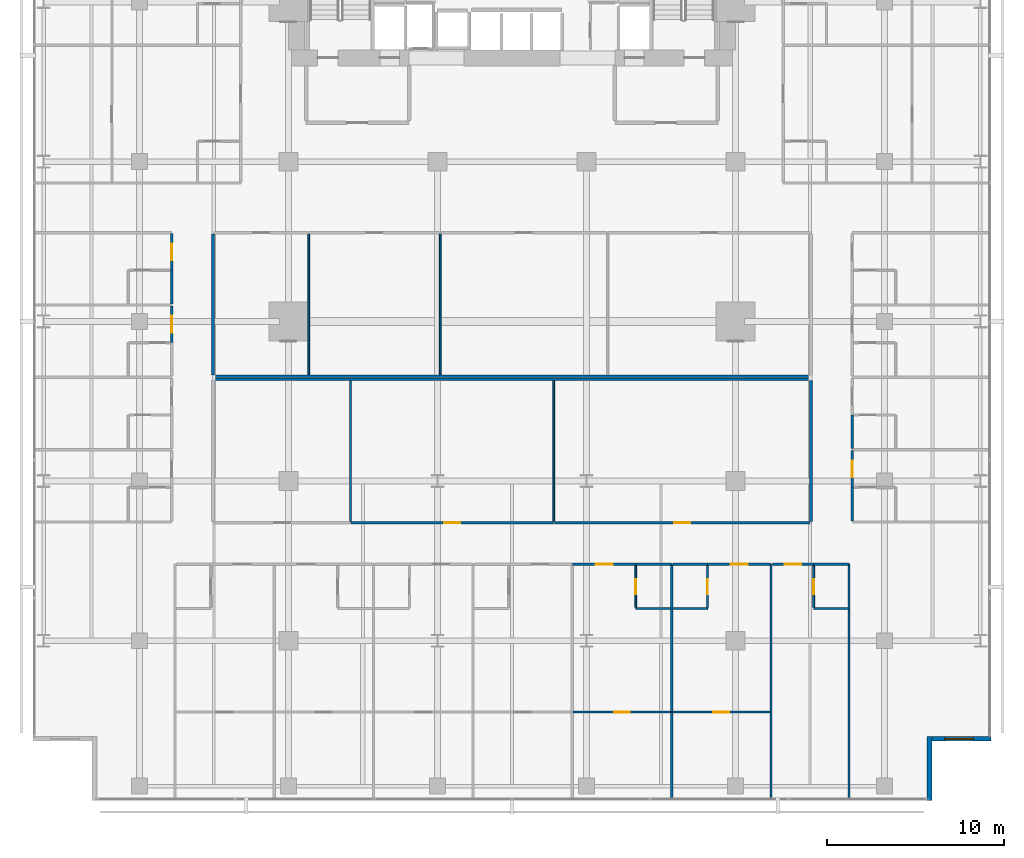
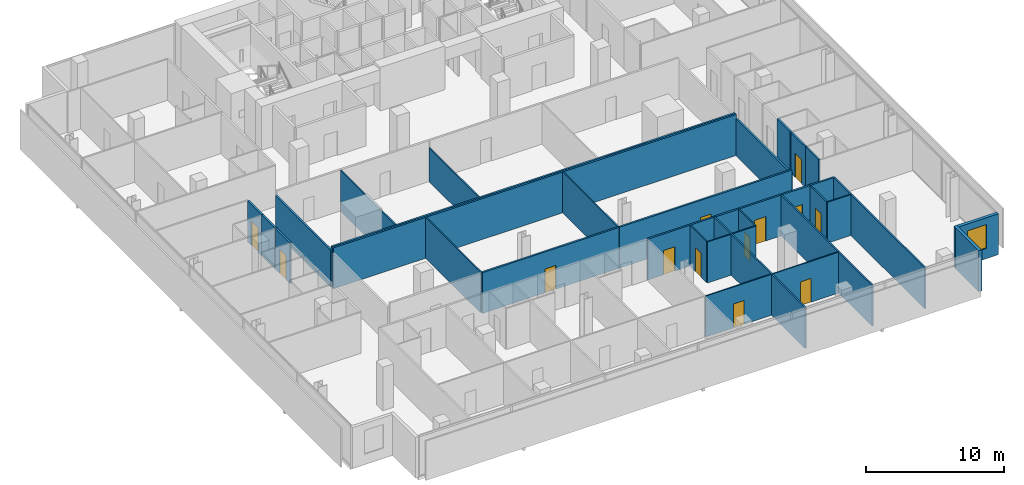
# One storey, part 34 of 40: 35 walls, 13 doors, 1 window, 14 openings.
"""IFC4 building model written with IfcOpenShell, lengths in metres."""

import ifcopenshell
import ifcopenshell.guid

model = None  # the IFC model being written
_history = None  # IfcOwnerHistory: only IFC2X3 demands one
_inside = {}  # id of a spatial element -> (the spatial element, [elements in it])
_under = {}  # id of a project, library or spatial element -> (it, [spatial elements below it])
_declared = {}  # id of a project -> (the project, [libraries it declares])
_typed = {}  # id of a type object -> (the type object, [elements of that type])
_made_of = {}  # id of a material, layer set ... -> (it, [elements and type objects made of it])


def new_model(schema):
    """Start an empty IFC model of exactly this schema.

    Asked for "IFC4X3", IfcOpenShell would pick the latest addendum, in which some entities
    have other attributes; the version numbers below select the first issue.
    IFC2X3 requires an IfcOwnerHistory on every rooted entity: one is made here for all.
    """
    global model, _history
    if schema == "IFC4X3":
        model = ifcopenshell.file(schema_version=(4, 3, 0, 0))
    else:
        model = ifcopenshell.file(schema=schema)
    _inside.clear()
    _under.clear()
    _declared.clear()
    _typed.clear()
    _made_of.clear()
    _history = None
    if model.schema == "IFC2X3":
        org = make("IfcOrganization", Name="unknown")
        user = make(
            "IfcPersonAndOrganization",
            ThePerson=make("IfcPerson", FamilyName="unknown"),
            TheOrganization=org,
        )
        app = make(
            "IfcApplication",
            ApplicationDeveloper=org,
            Version="unknown",
            ApplicationFullName="unknown",
            ApplicationIdentifier="unknown",
        )
        _history = make(
            "IfcOwnerHistory",
            OwningUser=user,
            OwningApplication=app,
            ChangeAction="ADDED",
            CreationDate=0,
        )
    return model


def make(cls, **values):
    """One entity of the class cls with the attributes given. An attribute that is None is left unset."""
    return model.create_entity(
        cls, **{name: value for name, value in values.items() if value is not None}
    )


def rooted(cls, **values):
    """An entity with a GlobalId (a new one), such as an element, a storey or a relation."""
    return make(cls, GlobalId=ifcopenshell.guid.new(), OwnerHistory=_history, **values)


def si_unit(unit_type, name, prefix=None):
    """IfcSIUnit, for example si_unit("LENGTHUNIT", "METRE", prefix="MILLI")."""
    return make("IfcSIUnit", UnitType=unit_type, Prefix=prefix, Name=name)


def assignment(units):
    """IfcUnitAssignment: the units of a project."""
    return None if units is None else make("IfcUnitAssignment", Units=units)


def point(xyz):
    """IfcCartesianPoint."""
    return None if xyz is None else make("IfcCartesianPoint", Coordinates=xyz)


def direction(xyz):
    """IfcDirection."""
    return None if xyz is None else make("IfcDirection", DirectionRatios=xyz)


def frame(location, z_axis=None, x_axis=None):
    """IfcAxis2Placement3D, a coordinate frame: its origin and axes. An axis left out is left unset."""
    return make(
        "IfcAxis2Placement3D",
        Location=point(location),
        Axis=direction(z_axis),
        RefDirection=direction(x_axis),
    )


def frame_2d(location, x_axis=None):
    """IfcAxis2Placement2D, a coordinate frame in the plane: its origin and x axis."""
    return make(
        "IfcAxis2Placement2D", Location=point(location), RefDirection=direction(x_axis)
    )


def origin():
    """The frame at (0, 0, 0) with its axes left unset."""
    return frame((0.0, 0.0, 0.0))


def place(relative_to, where):
    """IfcLocalPlacement: puts the frame where relative to a parent placement (None: the world)."""
    return make(
        "IfcLocalPlacement", PlacementRelTo=relative_to, RelativePlacement=where
    )


def context(
    kind, dimensions, precision=None, world=None, true_north=None, identifier=None
):
    """IfcGeometricRepresentationContext, for example the 3D "Model" context."""
    return make(
        "IfcGeometricRepresentationContext",
        ContextIdentifier=identifier,
        ContextType=kind,
        CoordinateSpaceDimension=dimensions,
        Precision=precision,
        WorldCoordinateSystem=world,
        TrueNorth=true_north,
    )


def subcontext(parent, identifier, kind, view, scale=None):
    """IfcGeometricRepresentationSubContext, for example "Body" below "Model"."""
    return make(
        "IfcGeometricRepresentationSubContext",
        ContextIdentifier=identifier,
        ContextType=kind,
        ParentContext=parent,
        TargetScale=scale,
        TargetView=view,
    )


def project(units=None, contexts=None):
    """IfcProject with its units and contexts."""
    return rooted(
        "IfcProject",
        Name="project",
        RepresentationContexts=contexts,
        UnitsInContext=assignment(units),
    )


def spatial(cls, under=None, at=None, **own):
    """A site, building, storey or space (cls), placed at a placement, below another one or the project."""
    s = rooted(cls, ObjectPlacement=at, **own)
    if under is not None:
        _under.setdefault(under.id(), (under, []))[1].append(s)
    return s


def profile(cls, at=None, kind="AREA", **sizes):
    """A parametric profile (cls). Its sizes go by their IFC names, for example OverallWidth=200.0."""
    return make(cls, ProfileType=kind, Position=at, **sizes)


def rectangle(**sizes):
    """IfcRectangleProfileDef."""
    return profile("IfcRectangleProfileDef", **sizes)


def extrude(swept, where, along, depth):
    """IfcExtrudedAreaSolid: the profile swept, set in the frame where, extruded along a direction by depth."""
    return make(
        "IfcExtrudedAreaSolid",
        SweptArea=swept,
        Position=where,
        ExtrudedDirection=direction(along),
        Depth=depth,
    )


def shape(context_of_items, identifier, shape_type, items):
    """IfcShapeRepresentation: the items that make up one representation, for example the "Body"."""
    return make(
        "IfcShapeRepresentation",
        ContextOfItems=context_of_items,
        RepresentationIdentifier=identifier,
        RepresentationType=shape_type,
        Items=items,
    )


def material(Name=None, Category=None):
    """IfcMaterial."""
    return make("IfcMaterial", Name=Name, Category=Category)


def layer(
    of_material, thickness, ventilated=None, Name=None, Category=None, Priority=None
):
    """IfcMaterialLayer: one layer of a wall or slab, of a material (None: an air gap)."""
    return make(
        "IfcMaterialLayer",
        Material=of_material,
        LayerThickness=thickness,
        IsVentilated=ventilated,
        Name=Name,
        Category=Category,
        Priority=Priority,
    )


def layer_set(layers, Name=None):
    """IfcMaterialLayerSet."""
    return make("IfcMaterialLayerSet", MaterialLayers=layers, LayerSetName=Name)


def made_of(thing, what):
    """Note that an element or type object is made of a material, layer set ...; save() writes the relation."""
    if what is not None:
        _made_of.setdefault(what.id(), (what, []))[1].append(thing)
    return thing


def type_object(cls, material=None, **own):
    """A type object (cls), such as IfcWallType, which elements share."""
    return made_of(rooted(cls, **own), material)


def element(
    cls,
    number,
    at=None,
    inside=None,
    cuts=None,
    type_object=None,
    material=None,
    context=None,
    identifier="Body",
    shape_type=None,
    held_by="IfcProductDefinitionShape",
    body=None,
    shapes=None,
    **own,
):
    """One element of the class cls, such as IfcWall. Its Tag is "e" and its number.

    at: its placement. inside: the storey or other place that contains it. cuts: it is an
    opening in that element (IfcRelVoidsElement). A single representation is given by context,
    identifier, shape_type and body (its items); several are given by shapes. held_by: the class
    of the entity that holds the representations. save() writes the other relations.
    """
    e = rooted(cls, Tag="e%d" % number, ObjectPlacement=at, **own)
    if body is not None:
        shapes = [shape(context, identifier, shape_type, body)]
    if shapes is not None:
        e.Representation = make(held_by, Representations=shapes)
    if inside is not None:
        _inside.setdefault(inside.id(), (inside, []))[1].append(e)
    if cuts is not None:
        rooted(
            "IfcRelVoidsElement", RelatingBuildingElement=cuts, RelatedOpeningElement=e
        )
    if type_object is not None:
        _typed.setdefault(type_object.id(), (type_object, []))[1].append(e)
    return made_of(e, material)


def fill(opening, filler):
    """IfcRelFillsElement: the door or window that sits in an opening."""
    return rooted(
        "IfcRelFillsElement",
        RelatingOpeningElement=opening,
        RelatedBuildingElement=filler,
    )


def aggregate(whole, parts):
    """IfcRelAggregates: a whole, such as a stair, and the parts it consists of."""
    return rooted("IfcRelAggregates", RelatingObject=whole, RelatedObjects=parts)


def save(model, path):
    """Write the relations noted so far, then the file.

    IfcRelAggregates (storeys below a building ...), IfcRelContainedInSpatialStructure (elements
    in a storey), IfcRelDefinesByType, IfcRelAssociatesMaterial and IfcRelDeclares: one each for
    every whole, place, type object, material and project.
    """
    for whole, parts in _under.values():
        aggregate(whole, parts)
    for where, things in _inside.values():
        rooted(
            "IfcRelContainedInSpatialStructure",
            RelatedElements=things,
            RelatingStructure=where,
        )
    for kind, things in _typed.values():
        rooted("IfcRelDefinesByType", RelatedObjects=things, RelatingType=kind)
    for what, things in _made_of.values():
        rooted("IfcRelAssociatesMaterial", RelatedObjects=things, RelatingMaterial=what)
    for by, libraries in _declared.values():
        rooted("IfcRelDeclares", RelatingContext=by, RelatedDefinitions=libraries)
    model.write(path)


model = new_model("IFC4")

# Units and contexts
model_context = context("Model", 3, precision=1e-05, world=origin(), true_north=direction((0.0, 1.0)))
body_context = subcontext(model_context, "Body", "Model", "MODEL_VIEW")
ifc_project = project(units=[si_unit("LENGTHUNIT", "METRE"), si_unit("AREAUNIT", "SQUARE_METRE"), si_unit("VOLUMEUNIT", "CUBIC_METRE"), si_unit("PLANEANGLEUNIT", "RADIAN"), si_unit("MASSUNIT", "GRAM", prefix="KILO")], contexts=[model_context])

# Site, building, storey
site_placement = place(None, origin())
site = spatial("IfcSite", under=ifc_project, at=site_placement, CompositionType="ELEMENT")
building_placement = place(site_placement, origin())
building = spatial("IfcBuilding", under=site, at=building_placement, Name="Maruvema Waterfront Hotel and Observation Tower", CompositionType="ELEMENT")
storey_placement = place(building_placement, frame((0.0, 0.0, 57.75)))
storey = spatial("IfcBuildingStorey", under=building, at=storey_placement, Name="L13", CompositionType="ELEMENT", Elevation=57.75)

# Walls
ifc_material_1 = material(Name="Twin-stud acoustic gypsum drywall", Category="gypsum")
ifc_layer_1 = layer(ifc_material_1, 0.14990234375, Name="Acoustic Corridor and Suite Demising Wall 150 mm")
ifc_layer_set_1 = layer_set([ifc_layer_1], Name="Twin-stud acoustic gypsum drywall")
wall_type_1 = type_object("IfcWallType", Name="Acoustic Corridor and Suite Demising Wall 150 mm", PredefinedType="PARTITIONING", material=ifc_layer_set_1)
wall_1_placement = place(storey_placement, frame((20.949951171875, 23.89990234375, 0.0), z_axis=(0.0, 0.0, 1.0), x_axis=(1.0, 0.0, 0.0)))
element("IfcWall", 1, at=wall_1_placement, inside=storey, type_object=wall_type_1, Name="L13 L13-INTN Back Wall 012", PredefinedType="PARTITIONING", context=body_context, shape_type="SweptSolid", body=[
    extrude(rectangle(XDim=33.699951171875, YDim=0.14990234375, at=frame_2d((16.85009765625, 0.0))), origin(), (0.0, 0.0, 1.0), 3.610107421875),
])
wall_2_placement = place(storey_placement, frame((20.949951171875, 23.97998046875, 0.0), z_axis=(0.0, 0.0, 1.0), x_axis=(0.0, 1.0, 0.0)))
element("IfcWall", 2, at=wall_2_placement, inside=storey, type_object=wall_type_1, Name="L13 L13-INTN West Wall 013", PredefinedType="PARTITIONING", context=body_context, shape_type="SweptSolid", body=[
    extrude(rectangle(XDim=7.93994140625, YDim=0.14990234375, at=frame_2d((3.969970703125, 0.0))), origin(), (0.0, 0.0, 1.0), 3.2548828125),
])
wall_3_placement = place(storey_placement, frame((20.949951171875, 23.739990234375, 0.0), z_axis=(0.0, 0.0, 1.0), x_axis=(1.0, 0.0, 0.0)))
element("IfcWall", 3, at=wall_3_placement, inside=storey, type_object=wall_type_1, Name="L13 L13-INTS Back Wall 022", PredefinedType="PARTITIONING", context=body_context, shape_type="SweptSolid", body=[
    extrude(rectangle(XDim=33.699951171875, YDim=0.14990234375, at=frame_2d((16.85009765625, 0.0))), origin(), (0.0, 0.0, 1.0), 3.610107421875),
])
wall_4_placement = place(storey_placement, frame((54.64990234375, 15.72998046875, 0.0), z_axis=(0.0, 0.0, 1.0), x_axis=(0.0, 1.0, 0.0)))
element("IfcWall", 4, at=wall_4_placement, inside=storey, type_object=wall_type_1, Name="L13 L13-INTS East Wall 024", PredefinedType="PARTITIONING", context=body_context, shape_type="SweptSolid", body=[
    extrude(rectangle(XDim=7.929931640625, YDim=0.14990234375, at=frame_2d((3.96484375, 0.0))), origin(), (0.0, 0.0, 1.0), 3.2548828125),
])

# Wall, opening, door
wall_5_placement = place(storey_placement, frame((28.73095703125, 15.64990234375, 0.0), z_axis=(0.0, 0.0, 1.0), x_axis=(1.0, 0.0, 0.0)))
wall_5 = element("IfcWall", 5, at=wall_5_placement, inside=storey, type_object=wall_type_1, Name="L13 L13-INTS Front 2 027", PredefinedType="PARTITIONING", context=body_context, shape_type="SweptSolid", body=[
    extrude(rectangle(XDim=11.39794921875, YDim=0.14990234375, at=frame_2d((5.698974609375, 0.0))), origin(), (0.0, 0.0, 1.0), 3.610107421875),
])
opening_1_placement = place(wall_5_placement, frame((5.2490234375, 0.0, 0.0)))
opening_1 = element("IfcOpeningElement", 6, at=opening_1_placement, cuts=wall_5, Name="Opening DR-090", PredefinedType="OPENING", context=body_context, shape_type="SweptSolid", body=[
    extrude(rectangle(XDim=0.89990234375, YDim=2.10009765625, at=frame_2d((0.449951171875, 1.050048828125))), frame((0.0, 0.0849609375, 0.0), z_axis=(0.0, -1.0, 0.0), x_axis=(1.0, 0.0, 0.0)), (0.0, 0.0, 1.0), 0.169921875),
])
ifc_material_2 = material(Name="Solid-core lacquered timber leaf", Category="wood")
door_type_1 = type_object("IfcDoorType", Name="Accessible Toilet and Room Door 900x2100 mm", OperationType="NOTDEFINED", PredefinedType="DOOR", material=ifc_material_2)
door_1_placement = place(opening_1_placement, frame((0.89990234375, 0.0, 0.0), z_axis=(0.0, 0.0, 1.0), x_axis=(-1.0, 0.0, 0.0)))
door_1 = element("IfcDoor", 7, at=door_1_placement, inside=storey, type_object=door_type_1, Name="L13 Housekeeping Linen Room Door", OperationType="SINGLE_SWING_RIGHT", OverallHeight=2.10009765625, OverallWidth=0.89990234375, PredefinedType="DOOR", context=body_context, shape_type="SweptSolid", body=[
    extrude(rectangle(XDim=0.89990234375, YDim=2.10009765625, at=frame_2d((0.449951171875, 1.050048828125))), frame((0.0, 0.02490234375, 0.0), z_axis=(0.0, -1.0, 0.0), x_axis=(1.0, 0.0, 0.0)), (0.0, 0.0, 1.0), 0.050048828125),
])
fill(opening_1, door_1)

wall_6_placement = place(storey_placement, frame((40.18896484375, 15.64990234375, 0.0), z_axis=(0.0, 0.0, 1.0), x_axis=(1.0, 0.0, 0.0)))
wall_6 = element("IfcWall", 8, at=wall_6_placement, inside=storey, type_object=wall_type_1, Name="L13 L13-INTS Front 3 029", PredefinedType="PARTITIONING", context=body_context, shape_type="SweptSolid", body=[
    extrude(rectangle(XDim=14.401123046875, YDim=0.14990234375, at=frame_2d((7.20068359375, 0.0))), origin(), (0.0, 0.0, 1.0), 3.610107421875),
])
opening_2_placement = place(wall_6_placement, frame((6.75048828125, 0.0, 0.0)))
opening_2 = element("IfcOpeningElement", 9, at=opening_2_placement, cuts=wall_6, Name="Opening DR-090", PredefinedType="OPENING", context=body_context, shape_type="SweptSolid", body=[
    extrude(rectangle(XDim=0.89990234375, YDim=2.10009765625, at=frame_2d((0.449951171875, 1.050048828125))), frame((0.0, 0.0849609375, 0.0), z_axis=(0.0, -1.0, 0.0), x_axis=(1.0, 0.0, 0.0)), (0.0, 0.0, 1.0), 0.169921875),
])
door_2_placement = place(opening_2_placement, frame((0.89990234375, 0.0, 0.0), z_axis=(0.0, 0.0, 1.0), x_axis=(-1.0, 0.0, 0.0)))
door_2 = element("IfcDoor", 10, at=door_2_placement, inside=storey, type_object=door_type_1, Name="L13 Concierge Salon Door", OperationType="SINGLE_SWING_LEFT", OverallHeight=2.10009765625, OverallWidth=0.89990234375, PredefinedType="DOOR", context=body_context, shape_type="SweptSolid", body=[
    extrude(rectangle(XDim=0.89990234375, YDim=2.10009765625, at=frame_2d((0.449951171875, 1.050048828125))), frame((0.0, 0.02490234375, 0.0), z_axis=(0.0, -1.0, 0.0), x_axis=(1.0, 0.0, 0.0)), (0.0, 0.0, 1.0), 0.050048828125),
])
fill(opening_2, door_2)

# Wall
wall_7_placement = place(storey_placement, frame((44.780029296875, 13.320068359375, 0.0), z_axis=(0.0, 0.0, 1.0), x_axis=(1.0, 0.0, 0.0)))
element("IfcWall", 11, at=wall_7_placement, inside=storey, type_object=wall_type_1, Name="L13 Bath L13-S5 Back Wall 056", PredefinedType="PARTITIONING", context=body_context, shape_type="SweptSolid", body=[
    extrude(rectangle(XDim=2.0, YDim=0.14990234375, at=frame_2d((1.0, 0.0))), origin(), (0.0, 0.0, 1.0), 3.610107421875),
])

# Wall, opening, door
wall_8_placement = place(storey_placement, frame((41.219970703125, 13.320068359375, 0.0), z_axis=(0.0, 0.0, 1.0), x_axis=(1.0, 0.0, 0.0)))
wall_8 = element("IfcWall", 12, at=wall_8_placement, inside=storey, type_object=wall_type_1, Name="L13 Unit L13-S5 Corridor Wall 059", PredefinedType="PARTITIONING", context=body_context, shape_type="SweptSolid", body=[
    extrude(rectangle(XDim=3.56005859375, YDim=0.14990234375, at=frame_2d((1.780029296875, 0.0))), origin(), (0.0, 0.0, 1.0), 3.610107421875),
])
opening_3_placement = place(wall_8_placement, frame((1.304931640625, 0.0, 0.0)))
opening_3 = element("IfcOpeningElement", 13, at=opening_3_placement, cuts=wall_8, Name="Opening DR-095", PredefinedType="OPENING", context=body_context, shape_type="SweptSolid", body=[
    extrude(rectangle(XDim=0.949951171875, YDim=2.14990234375, at=frame_2d((0.47509765625, 1.074951171875))), frame((0.0, 0.0849609375, 0.0), z_axis=(0.0, -1.0, 0.0), x_axis=(1.0, 0.0, 0.0)), (0.0, 0.0, 1.0), 0.169921875),
])
ifc_material_3 = material(Name="Acoustic solid-core hardwood timber leaf", Category="wood")
door_type_2 = type_object("IfcDoorType", Name="Guestroom Entrance Fire Door 950x2150 mm", OperationType="NOTDEFINED", PredefinedType="DOOR", material=ifc_material_3)
door_3_placement = place(opening_3_placement, frame((0.949951171875, 0.0, 0.0), z_axis=(0.0, 0.0, 1.0), x_axis=(-1.0, 0.0, 0.0)))
door_3 = element("IfcDoor", 14, at=door_3_placement, inside=storey, type_object=door_type_2, Name="L13 Unit L13-S5 Entrance Door", OperationType="SINGLE_SWING_LEFT", OverallHeight=2.14990234375, OverallWidth=0.949951171875, PredefinedType="DOOR", context=body_context, shape_type="SweptSolid", body=[
    extrude(rectangle(XDim=0.949951171875, YDim=2.14990234375, at=frame_2d((0.47509765625, 1.074951171875))), frame((0.0, 0.02490234375, 0.0), z_axis=(0.0, -1.0, 0.0), x_axis=(1.0, 0.0, 0.0)), (0.0, 0.0, 1.0), 0.050048828125),
])
fill(opening_3, door_3)

# Wall
wall_9_placement = place(storey_placement, frame((46.8798828125, 13.320068359375, 0.0), z_axis=(0.0, 0.0, 1.0), x_axis=(1.0, 0.0, 0.0)))
element("IfcWall", 15, at=wall_9_placement, inside=storey, type_object=wall_type_1, Name="L13 Bath L13-S6 Back Wall 062", PredefinedType="PARTITIONING", context=body_context, shape_type="SweptSolid", body=[
    extrude(rectangle(XDim=1.940185546875, YDim=0.14990234375, at=frame_2d((0.97021484375, 0.0))), origin(), (0.0, 0.0, 1.0), 3.610107421875),
])

# Wall, opening, door
wall_10_placement = place(storey_placement, frame((48.820068359375, 13.320068359375, 0.0), z_axis=(0.0, 0.0, 1.0), x_axis=(1.0, 0.0, 0.0)))
wall_10 = element("IfcWall", 16, at=wall_10_placement, inside=storey, type_object=wall_type_1, Name="L13 Unit L13-S6 Corridor Wall 065", PredefinedType="PARTITIONING", context=body_context, shape_type="SweptSolid", body=[
    extrude(rectangle(XDim=3.559814453125, YDim=0.14990234375, at=frame_2d((1.77978515625, 0.0))), origin(), (0.0, 0.0, 1.0), 3.610107421875),
])
opening_4_placement = place(wall_10_placement, frame((1.304931640625, 0.0, 0.0)))
opening_4 = element("IfcOpeningElement", 17, at=opening_4_placement, cuts=wall_10, Name="Opening DR-095", PredefinedType="OPENING", context=body_context, shape_type="SweptSolid", body=[
    extrude(rectangle(XDim=0.949951171875, YDim=2.14990234375, at=frame_2d((0.47509765625, 1.074951171875))), frame((0.0, 0.0849609375, 0.0), z_axis=(0.0, -1.0, 0.0), x_axis=(1.0, 0.0, 0.0)), (0.0, 0.0, 1.0), 0.169921875),
])
door_4_placement = place(opening_4_placement, frame((0.949951171875, 0.0, 0.0), z_axis=(0.0, 0.0, 1.0), x_axis=(-1.0, 0.0, 0.0)))
door_4 = element("IfcDoor", 18, at=door_4_placement, inside=storey, type_object=door_type_2, Name="L13 Unit L13-S6 Entrance Door", OperationType="SINGLE_SWING_RIGHT", OverallHeight=2.14990234375, OverallWidth=0.949951171875, PredefinedType="DOOR", context=body_context, shape_type="SweptSolid", body=[
    extrude(rectangle(XDim=0.949951171875, YDim=2.14990234375, at=frame_2d((0.47509765625, 1.074951171875))), frame((0.0, 0.02490234375, 0.0), z_axis=(0.0, -1.0, 0.0), x_axis=(1.0, 0.0, 0.0)), (0.0, 0.0, 1.0), 0.050048828125),
])
fill(opening_4, door_4)

# Wall
wall_11_placement = place(storey_placement, frame((54.800048828125, 13.320068359375, 0.0), z_axis=(0.0, 0.0, 1.0), x_axis=(1.0, 0.0, 0.0)))
element("IfcWall", 19, at=wall_11_placement, inside=storey, type_object=wall_type_1, Name="L13 Bath L13-S7 Back Wall 068", PredefinedType="PARTITIONING", context=body_context, shape_type="SweptSolid", body=[
    extrude(rectangle(XDim=1.97998046875, YDim=0.14990234375, at=frame_2d((0.989990234375, 0.0))), origin(), (0.0, 0.0, 1.0), 3.610107421875),
])

# Wall, opening, door
wall_12_placement = place(storey_placement, frame((52.47998046875, 13.320068359375, 0.0), z_axis=(0.0, 0.0, 1.0), x_axis=(1.0, 0.0, 0.0)))
wall_12 = element("IfcWall", 20, at=wall_12_placement, inside=storey, type_object=wall_type_1, Name="L13 Unit L13-S7 Corridor Wall 071", PredefinedType="PARTITIONING", context=body_context, shape_type="SweptSolid", body=[
    extrude(rectangle(XDim=2.320068359375, YDim=0.14990234375, at=frame_2d((1.16015625, 0.0))), origin(), (0.0, 0.0, 1.0), 3.610107421875),
])
opening_5_placement = place(wall_12_placement, frame((0.68505859375, 0.0, 0.0)))
opening_5 = element("IfcOpeningElement", 21, at=opening_5_placement, cuts=wall_12, Name="Opening DR-095", PredefinedType="OPENING", context=body_context, shape_type="SweptSolid", body=[
    extrude(rectangle(XDim=0.949951171875, YDim=2.14990234375, at=frame_2d((0.47509765625, 1.074951171875))), frame((0.0, 0.0849609375, 0.0), z_axis=(0.0, -1.0, 0.0), x_axis=(1.0, 0.0, 0.0)), (0.0, 0.0, 1.0), 0.169921875),
])
door_5_placement = place(opening_5_placement, frame((0.949951171875, 0.0, 0.0), z_axis=(0.0, 0.0, 1.0), x_axis=(-1.0, 0.0, 0.0)))
door_5 = element("IfcDoor", 22, at=door_5_placement, inside=storey, type_object=door_type_2, Name="L13 Unit L13-S7 Entrance Door", OperationType="SINGLE_SWING_LEFT", OverallHeight=2.14990234375, OverallWidth=0.949951171875, PredefinedType="DOOR", context=body_context, shape_type="SweptSolid", body=[
    extrude(rectangle(XDim=0.949951171875, YDim=2.14990234375, at=frame_2d((0.47509765625, 1.074951171875))), frame((0.0, 0.02490234375, 0.0), z_axis=(0.0, -1.0, 0.0), x_axis=(1.0, 0.0, 0.0)), (0.0, 0.0, 1.0), 0.050048828125),
])
fill(opening_5, door_5)

# Wall
wall_13_placement = place(storey_placement, frame((56.97998046875, 15.760009765625, 0.0), z_axis=(0.0, 0.0, 1.0), x_axis=(0.0, 1.0, 0.0)))
element("IfcWall", 23, at=wall_13_placement, inside=storey, type_object=wall_type_1, Name="L13 Bath L13-E1 Wall 080", PredefinedType="PARTITIONING", context=body_context, shape_type="SweptSolid", body=[
    extrude(rectangle(XDim=1.889892578125, YDim=0.14990234375, at=frame_2d((0.94482421875, 0.0))), origin(), (0.0, 0.0, 1.0), 3.610107421875),
])

# Wall, opening, door
wall_14_placement = place(storey_placement, frame((56.97998046875, 17.64990234375, 0.0), z_axis=(0.0, 0.0, 1.0), x_axis=(0.0, 1.0, 0.0)))
wall_14 = element("IfcWall", 24, at=wall_14_placement, inside=storey, type_object=wall_type_1, Name="L13 Room L13-E1 Corridor Wall 081", PredefinedType="PARTITIONING", context=body_context, shape_type="SweptSolid", body=[
    extrude(rectangle(XDim=2.06005859375, YDim=0.14990234375, at=frame_2d((1.030029296875, 0.0))), origin(), (0.0, 0.0, 1.0), 3.610107421875),
])
opening_6_placement = place(wall_14_placement, frame((0.554931640625, 0.0, 0.0)))
opening_6 = element("IfcOpeningElement", 25, at=opening_6_placement, cuts=wall_14, Name="Opening DR-095", PredefinedType="OPENING", context=body_context, shape_type="SweptSolid", body=[
    extrude(rectangle(XDim=0.949951171875, YDim=2.14990234375, at=frame_2d((0.47509765625, 1.074951171875))), frame((0.0, 0.0849609375, 0.0), z_axis=(0.0, -1.0, 0.0), x_axis=(1.0, 0.0, 0.0)), (0.0, 0.0, 1.0), 0.169921875),
])
door_6_placement = place(opening_6_placement, frame((0.949951171875, 0.0, 0.0), z_axis=(0.0, 0.0, 1.0), x_axis=(-1.0, 0.0, 0.0)))
door_6 = element("IfcDoor", 26, at=door_6_placement, inside=storey, type_object=door_type_2, Name="L13 Room L13-E1 Entrance Door", OperationType="SINGLE_SWING_LEFT", OverallHeight=2.14990234375, OverallWidth=0.949951171875, PredefinedType="DOOR", context=body_context, shape_type="SweptSolid", body=[
    extrude(rectangle(XDim=0.949951171875, YDim=2.14990234375, at=frame_2d((0.47509765625, 1.074951171875))), frame((0.0, 0.02490234375, 0.0), z_axis=(0.0, -1.0, 0.0), x_axis=(1.0, 0.0, 0.0)), (0.0, 0.0, 1.0), 0.050048828125),
])
fill(opening_6, door_6)

# Wall
wall_15_placement = place(storey_placement, frame((56.97998046875, 19.830078125, 0.0), z_axis=(0.0, 0.0, 1.0), x_axis=(0.0, 1.0, 0.0)))
element("IfcWall", 27, at=wall_15_placement, inside=storey, type_object=wall_type_1, Name="L13 Bath L13-E2 Wall 090", PredefinedType="PARTITIONING", context=body_context, shape_type="SweptSolid", body=[
    extrude(rectangle(XDim=1.889892578125, YDim=0.14990234375, at=frame_2d((0.94482421875, 0.0))), origin(), (0.0, 0.0, 1.0), 3.610107421875),
])

# Wall, opening, door
wall_16_placement = place(storey_placement, frame((18.6201171875, 25.800048828125, 0.0), z_axis=(0.0, 0.0, 1.0), x_axis=(0.0, 1.0, 0.0)))
wall_16 = element("IfcWall", 28, at=wall_16_placement, inside=storey, type_object=wall_type_1, Name="L13 Room L13-W3 Corridor Wall 097", PredefinedType="PARTITIONING", context=body_context, shape_type="SweptSolid", body=[
    extrude(rectangle(XDim=2.070068359375, YDim=0.14990234375, at=frame_2d((1.03515625, 0.0))), origin(), (0.0, 0.0, 1.0), 3.610107421875),
])
opening_7_placement = place(wall_16_placement, frame((0.56005859375, 0.0, 0.0)))
opening_7 = element("IfcOpeningElement", 29, at=opening_7_placement, cuts=wall_16, Name="Opening DR-095", PredefinedType="OPENING", context=body_context, shape_type="SweptSolid", body=[
    extrude(rectangle(XDim=0.949951171875, YDim=2.14990234375, at=frame_2d((0.47509765625, 1.074951171875))), frame((0.0, 0.0849609375, 0.0), z_axis=(0.0, -1.0, 0.0), x_axis=(1.0, 0.0, 0.0)), (0.0, 0.0, 1.0), 0.169921875),
])
door_7_placement = place(opening_7_placement, origin())
door_7 = element("IfcDoor", 30, at=door_7_placement, inside=storey, type_object=door_type_2, Name="L13 Room L13-W3 Entrance Door", OperationType="SINGLE_SWING_LEFT", OverallHeight=2.14990234375, OverallWidth=0.949951171875, PredefinedType="DOOR", context=body_context, shape_type="SweptSolid", body=[
    extrude(rectangle(XDim=0.949951171875, YDim=2.14990234375, at=frame_2d((0.47509765625, 1.074951171875))), frame((0.0, 0.02490234375, 0.0), z_axis=(0.0, -1.0, 0.0), x_axis=(1.0, 0.0, 0.0)), (0.0, 0.0, 1.0), 0.050048828125),
])
fill(opening_7, door_7)

# Wall
wall_17_placement = place(storey_placement, frame((18.6201171875, 27.989990234375, 0.0), z_axis=(0.0, 0.0, 1.0), x_axis=(0.0, 1.0, 0.0)))
element("IfcWall", 31, at=wall_17_placement, inside=storey, type_object=wall_type_1, Name="L13 Bath L13-W4 Wall 106", PredefinedType="PARTITIONING", context=body_context, shape_type="SweptSolid", body=[
    extrude(rectangle(XDim=1.889892578125, YDim=0.14990234375, at=frame_2d((0.94482421875, 0.0))), origin(), (0.0, 0.0, 1.0), 3.610107421875),
])

# Wall, opening, door
wall_18_placement = place(storey_placement, frame((18.6201171875, 29.8798828125, 0.0), z_axis=(0.0, 0.0, 1.0), x_axis=(0.0, 1.0, 0.0)))
wall_18 = element("IfcWall", 32, at=wall_18_placement, inside=storey, type_object=wall_type_1, Name="L13 Room L13-W4 Corridor Wall 107", PredefinedType="PARTITIONING", context=body_context, shape_type="SweptSolid", body=[
    extrude(rectangle(XDim=2.06005859375, YDim=0.14990234375, at=frame_2d((1.030029296875, 0.0))), origin(), (0.0, 0.0, 1.0), 3.610107421875),
])
opening_8_placement = place(wall_18_placement, frame((0.554931640625, 0.0, 0.0)))
opening_8 = element("IfcOpeningElement", 33, at=opening_8_placement, cuts=wall_18, Name="Opening DR-095", PredefinedType="OPENING", context=body_context, shape_type="SweptSolid", body=[
    extrude(rectangle(XDim=0.949951171875, YDim=2.14990234375, at=frame_2d((0.47509765625, 1.074951171875))), frame((0.0, 0.0849609375, 0.0), z_axis=(0.0, -1.0, 0.0), x_axis=(1.0, 0.0, 0.0)), (0.0, 0.0, 1.0), 0.169921875),
])
door_8_placement = place(opening_8_placement, origin())
door_8 = element("IfcDoor", 34, at=door_8_placement, inside=storey, type_object=door_type_2, Name="L13 Room L13-W4 Entrance Door", OperationType="SINGLE_SWING_LEFT", OverallHeight=2.14990234375, OverallWidth=0.949951171875, PredefinedType="DOOR", context=body_context, shape_type="SweptSolid", body=[
    extrude(rectangle(XDim=0.949951171875, YDim=2.14990234375, at=frame_2d((0.47509765625, 1.074951171875))), frame((0.0, 0.02490234375, 0.0), z_axis=(0.0, -1.0, 0.0), x_axis=(1.0, 0.0, 0.0)), (0.0, 0.0, 1.0), 0.050048828125),
])
fill(opening_8, door_8)

# Walls
ifc_material_4 = material(Name="Moisture-resistant cement-board drywall", Category="gypsum")
ifc_layer_2 = layer(ifc_material_4, 0.10009765625, Name="En-Suite Moisture-Resistant Partition 100 mm")
ifc_layer_set_2 = layer_set([ifc_layer_2], Name="Moisture-resistant cement-board drywall")
wall_type_2 = type_object("IfcWallType", Name="En-Suite Moisture-Resistant Partition 100 mm", PredefinedType="PARTITIONING", material=ifc_layer_set_2)
wall_19_placement = place(storey_placement, frame((26.342041015625, 23.97998046875, 0.0), z_axis=(0.0, 0.0, 1.0), x_axis=(0.0, 1.0, 0.0)))
element("IfcWall", 35, at=wall_19_placement, inside=storey, type_object=wall_type_2, Name="L13 L13-INTN Split 1 016", PredefinedType="PARTITIONING", context=body_context, shape_type="SweptSolid", body=[
    extrude(rectangle(XDim=7.93994140625, YDim=0.10009765625, at=frame_2d((3.969970703125, 0.0))), origin(), (0.0, 0.0, 1.0), 3.610107421875),
])
wall_20_placement = place(storey_placement, frame((33.756103515625, 23.97998046875, 0.0), z_axis=(0.0, 0.0, 1.0), x_axis=(0.0, 1.0, 0.0)))
element("IfcWall", 36, at=wall_20_placement, inside=storey, type_object=wall_type_2, Name="L13 L13-INTN Split 2 018", PredefinedType="PARTITIONING", context=body_context, shape_type="SweptSolid", body=[
    extrude(rectangle(XDim=7.93994140625, YDim=0.10009765625, at=frame_2d((3.969970703125, 0.0))), origin(), (0.0, 0.0, 1.0), 2.988037109375),
])
for number, where, z_axis, x_axis, name in (
    (37, (28.700927734375, 15.72998046875, 0.0), (0.0, 0.0, 1.0), (0.0, 1.0, 0.0), "L13 L13-INTS Split 1 026"),
    (38, (40.158935546875, 15.72998046875, 0.0), (0.0, 0.0, 1.0), (0.0, 1.0, 0.0), "L13 L13-INTS Split 2 028"),
):
    element("IfcWall", number, at=place(storey_placement, frame(where, z_axis=z_axis, x_axis=x_axis)), inside=storey, type_object=wall_type_2, Name=name, PredefinedType="PARTITIONING", context=body_context, shape_type="SweptSolid", body=[
        extrude(rectangle(XDim=7.929931640625, YDim=0.10009765625, at=frame_2d((3.96484375, 0.0))), origin(), (0.0, 0.0, 1.0), 3.610107421875),
    ])
wall_21_placement = place(storey_placement, frame((44.780029296875, 10.820068359375, 0.0), z_axis=(0.0, 0.0, 1.0), x_axis=(1.0, 0.0, 0.0)))
element("IfcWall", 39, at=wall_21_placement, inside=storey, type_object=wall_type_2, Name="L13 En-Suite L13-S5 South 057", PredefinedType="PARTITIONING", context=body_context, shape_type="SweptSolid", body=[
    extrude(rectangle(XDim=1.97998046875, YDim=0.10009765625, at=frame_2d((0.989990234375, 0.0))), origin(), (0.0, 0.0, 1.0), 3.610107421875),
])

# Wall, opening, door
wall_22_placement = place(storey_placement, frame((44.780029296875, 10.8798828125, 0.0), z_axis=(0.0, 0.0, 1.0), x_axis=(0.0, 1.0, 0.0)))
wall_22 = element("IfcWall", 40, at=wall_22_placement, inside=storey, type_object=wall_type_2, Name="L13 En-Suite L13-S5 West 058", PredefinedType="PARTITIONING", context=body_context, shape_type="SweptSolid", body=[
    extrude(rectangle(XDim=2.340087890625, YDim=0.10009765625, at=frame_2d((1.169921875, 0.0))), origin(), (0.0, 0.0, 1.0), 3.610107421875),
])
opening_9_placement = place(wall_22_placement, frame((0.7451171875, 0.0, 0.0)))
opening_9 = element("IfcOpeningElement", 41, at=opening_9_placement, cuts=wall_22, Name="Opening DR-085", PredefinedType="OPENING", context=body_context, shape_type="SweptSolid", body=[
    extrude(rectangle(XDim=0.85009765625, YDim=2.10009765625, at=frame_2d((0.425048828125, 1.050048828125))), frame((0.0, 0.06005859375, 0.0), z_axis=(0.0, -1.0, 0.0), x_axis=(1.0, 0.0, 0.0)), (0.0, 0.0, 1.0), 0.1201171875),
])
ifc_material_5 = material(Name="Moisture-resistant solid timber leaf", Category="wood")
door_type_3 = type_object("IfcDoorType", Name="En-Suite Bathroom Door 850x2100 mm", OperationType="NOTDEFINED", PredefinedType="DOOR", material=ifc_material_5)
door_9_placement = place(opening_9_placement, origin())
door_9 = element("IfcDoor", 42, at=door_9_placement, inside=storey, type_object=door_type_3, Name="L13 En-Suite L13-S5 Door", OperationType="SINGLE_SWING_RIGHT", OverallHeight=2.10009765625, OverallWidth=0.85009765625, PredefinedType="DOOR", context=body_context, shape_type="SweptSolid", body=[
    extrude(rectangle(XDim=0.85009765625, YDim=2.10009765625, at=frame_2d((0.425048828125, 1.050048828125))), frame((0.0, 0.02490234375, 0.0), z_axis=(0.0, -1.0, 0.0), x_axis=(1.0, 0.0, 0.0)), (0.0, 0.0, 1.0), 0.050048828125),
])
fill(opening_9, door_9)

wall_23_placement = place(storey_placement, frame((41.239990234375, 4.977294921875, 0.0), z_axis=(0.0, 0.0, 1.0), x_axis=(1.0, 0.0, 0.0)))
wall_23 = element("IfcWall", 43, at=wall_23_placement, inside=storey, type_object=wall_type_2, Name="L13 Suite L13-S5 Split 060", PredefinedType="PARTITIONING", context=body_context, shape_type="SweptSolid", body=[
    extrude(rectangle(XDim=5.52001953125, YDim=0.10009765625, at=frame_2d((2.760009765625, 0.0))), origin(), (0.0, 0.0, 1.0), 3.610107421875),
])
opening_10_placement = place(wall_23_placement, frame((2.31005859375, 0.0, 0.0)))
opening_10 = element("IfcOpeningElement", 44, at=opening_10_placement, cuts=wall_23, Name="Opening DR-090", PredefinedType="OPENING", context=body_context, shape_type="SweptSolid", body=[
    extrude(rectangle(XDim=0.89990234375, YDim=2.10009765625, at=frame_2d((0.449951171875, 1.050048828125))), frame((0.0, 0.06005859375, 0.0), z_axis=(0.0, -1.0, 0.0), x_axis=(1.0, 0.0, 0.0)), (0.0, 0.0, 1.0), 0.1201171875),
])
door_10_placement = place(opening_10_placement, frame((0.89990234375, 0.0, 0.0), z_axis=(0.0, 0.0, 1.0), x_axis=(-1.0, 0.0, 0.0)))
door_10 = element("IfcDoor", 45, at=door_10_placement, inside=storey, type_object=door_type_1, Name="L13 Suite L13-S5 Bedroom Door", OperationType="SINGLE_SWING_RIGHT", OverallHeight=2.10009765625, OverallWidth=0.89990234375, PredefinedType="DOOR", context=body_context, shape_type="SweptSolid", body=[
    extrude(rectangle(XDim=0.89990234375, YDim=2.10009765625, at=frame_2d((0.449951171875, 1.050048828125))), frame((0.0, 0.02490234375, 0.0), z_axis=(0.0, -1.0, 0.0), x_axis=(1.0, 0.0, 0.0)), (0.0, 0.0, 1.0), 0.050048828125),
])
fill(opening_10, door_10)

# Wall
wall_24_placement = place(storey_placement, frame((46.8798828125, 10.820068359375, 0.0), z_axis=(0.0, 0.0, 1.0), x_axis=(1.0, 0.0, 0.0)))
element("IfcWall", 46, at=wall_24_placement, inside=storey, type_object=wall_type_2, Name="L13 En-Suite L13-S6 South 063", PredefinedType="PARTITIONING", context=body_context, shape_type="SweptSolid", body=[
    extrude(rectangle(XDim=1.940185546875, YDim=0.10009765625, at=frame_2d((0.97021484375, 0.0))), origin(), (0.0, 0.0, 1.0), 3.610107421875),
])

# Wall, opening, door
wall_25_placement = place(storey_placement, frame((48.820068359375, 10.8798828125, 0.0), z_axis=(0.0, 0.0, 1.0), x_axis=(0.0, 1.0, 0.0)))
wall_25 = element("IfcWall", 47, at=wall_25_placement, inside=storey, type_object=wall_type_2, Name="L13 En-Suite L13-S6 East 064", PredefinedType="PARTITIONING", context=body_context, shape_type="SweptSolid", body=[
    extrude(rectangle(XDim=2.340087890625, YDim=0.10009765625, at=frame_2d((1.169921875, 0.0))), origin(), (0.0, 0.0, 1.0), 3.610107421875),
])
opening_11_placement = place(wall_25_placement, frame((0.7451171875, 0.0, 0.0)))
opening_11 = element("IfcOpeningElement", 48, at=opening_11_placement, cuts=wall_25, Name="Opening DR-085", PredefinedType="OPENING", context=body_context, shape_type="SweptSolid", body=[
    extrude(rectangle(XDim=0.85009765625, YDim=2.10009765625, at=frame_2d((0.425048828125, 1.050048828125))), frame((0.0, 0.06005859375, 0.0), z_axis=(0.0, -1.0, 0.0), x_axis=(1.0, 0.0, 0.0)), (0.0, 0.0, 1.0), 0.1201171875),
])
door_11_placement = place(opening_11_placement, frame((0.85009765625, 0.0, 0.0), z_axis=(0.0, 0.0, 1.0), x_axis=(-1.0, 0.0, 0.0)))
door_11 = element("IfcDoor", 49, at=door_11_placement, inside=storey, type_object=door_type_3, Name="L13 En-Suite L13-S6 Door", OperationType="SINGLE_SWING_LEFT", OverallHeight=2.10009765625, OverallWidth=0.85009765625, PredefinedType="DOOR", context=body_context, shape_type="SweptSolid", body=[
    extrude(rectangle(XDim=0.85009765625, YDim=2.10009765625, at=frame_2d((0.425048828125, 1.050048828125))), frame((0.0, 0.02490234375, 0.0), z_axis=(0.0, -1.0, 0.0), x_axis=(1.0, 0.0, 0.0)), (0.0, 0.0, 1.0), 0.050048828125),
])
fill(opening_11, door_11)

wall_26_placement = place(storey_placement, frame((46.840087890625, 4.977294921875, 0.0), z_axis=(0.0, 0.0, 1.0), x_axis=(1.0, 0.0, 0.0)))
wall_26 = element("IfcWall", 50, at=wall_26_placement, inside=storey, type_object=wall_type_2, Name="L13 Suite L13-S6 Split 066", PredefinedType="PARTITIONING", context=body_context, shape_type="SweptSolid", body=[
    extrude(rectangle(XDim=5.52001953125, YDim=0.10009765625, at=frame_2d((2.760009765625, 0.0))), origin(), (0.0, 0.0, 1.0), 3.610107421875),
])
opening_12_placement = place(wall_26_placement, frame((2.31005859375, 0.0, 0.0)))
opening_12 = element("IfcOpeningElement", 51, at=opening_12_placement, cuts=wall_26, Name="Opening DR-090", PredefinedType="OPENING", context=body_context, shape_type="SweptSolid", body=[
    extrude(rectangle(XDim=0.89990234375, YDim=2.10009765625, at=frame_2d((0.449951171875, 1.050048828125))), frame((0.0, 0.06005859375, 0.0), z_axis=(0.0, -1.0, 0.0), x_axis=(1.0, 0.0, 0.0)), (0.0, 0.0, 1.0), 0.1201171875),
])
door_12_placement = place(opening_12_placement, frame((0.89990234375, 0.0, 0.0), z_axis=(0.0, 0.0, 1.0), x_axis=(-1.0, 0.0, 0.0)))
door_12 = element("IfcDoor", 52, at=door_12_placement, inside=storey, type_object=door_type_1, Name="L13 Suite L13-S6 Bedroom Door", OperationType="SINGLE_SWING_LEFT", OverallHeight=2.10009765625, OverallWidth=0.89990234375, PredefinedType="DOOR", context=body_context, shape_type="SweptSolid", body=[
    extrude(rectangle(XDim=0.89990234375, YDim=2.10009765625, at=frame_2d((0.449951171875, 1.050048828125))), frame((0.0, 0.02490234375, 0.0), z_axis=(0.0, -1.0, 0.0), x_axis=(1.0, 0.0, 0.0)), (0.0, 0.0, 1.0), 0.050048828125),
])
fill(opening_12, door_12)

# Wall
wall_27_placement = place(storey_placement, frame((54.800048828125, 10.820068359375, 0.0), z_axis=(0.0, 0.0, 1.0), x_axis=(1.0, 0.0, 0.0)))
element("IfcWall", 53, at=wall_27_placement, inside=storey, type_object=wall_type_2, Name="L13 En-Suite L13-S7 South 069", PredefinedType="PARTITIONING", context=body_context, shape_type="SweptSolid", body=[
    extrude(rectangle(XDim=1.9599609375, YDim=0.10009765625, at=frame_2d((0.97998046875, 0.0))), origin(), (0.0, 0.0, 1.0), 3.610107421875),
])

# Wall, opening, door
wall_28_placement = place(storey_placement, frame((54.800048828125, 10.8798828125, 0.0), z_axis=(0.0, 0.0, 1.0), x_axis=(0.0, 1.0, 0.0)))
wall_28 = element("IfcWall", 54, at=wall_28_placement, inside=storey, type_object=wall_type_2, Name="L13 En-Suite L13-S7 West 070", PredefinedType="PARTITIONING", context=body_context, shape_type="SweptSolid", body=[
    extrude(rectangle(XDim=2.340087890625, YDim=0.10009765625, at=frame_2d((1.169921875, 0.0))), origin(), (0.0, 0.0, 1.0), 3.610107421875),
])
opening_13_placement = place(wall_28_placement, frame((0.7451171875, 0.0, 0.0)))
opening_13 = element("IfcOpeningElement", 55, at=opening_13_placement, cuts=wall_28, Name="Opening DR-085", PredefinedType="OPENING", context=body_context, shape_type="SweptSolid", body=[
    extrude(rectangle(XDim=0.85009765625, YDim=2.10009765625, at=frame_2d((0.425048828125, 1.050048828125))), frame((0.0, 0.06005859375, 0.0), z_axis=(0.0, -1.0, 0.0), x_axis=(1.0, 0.0, 0.0)), (0.0, 0.0, 1.0), 0.1201171875),
])
door_13_placement = place(opening_13_placement, origin())
door_13 = element("IfcDoor", 56, at=door_13_placement, inside=storey, type_object=door_type_3, Name="L13 En-Suite L13-S7 Door", OperationType="SINGLE_SWING_RIGHT", OverallHeight=2.10009765625, OverallWidth=0.85009765625, PredefinedType="DOOR", context=body_context, shape_type="SweptSolid", body=[
    extrude(rectangle(XDim=0.85009765625, YDim=2.10009765625, at=frame_2d((0.425048828125, 1.050048828125))), frame((0.0, 0.02490234375, 0.0), z_axis=(0.0, -1.0, 0.0), x_axis=(1.0, 0.0, 0.0)), (0.0, 0.0, 1.0), 0.050048828125),
])
fill(opening_13, door_13)

# Wall
ifc_material_6 = material(Name="Precast concrete C45/55 with honed Pernambuco granite facing", Category="masonry")
ifc_layer_3 = layer(ifc_material_6, 0.260009765625, Name="Exterior Granite Clad Spandrel and Pier Wall 260 mm")
ifc_layer_set_3 = layer_set([ifc_layer_3], Name="Precast concrete C45/55 with honed Pernambuco granite facing")
wall_type_3 = type_object("IfcWallType", Name="Exterior Granite Clad Spandrel and Pier Wall 260 mm", PredefinedType="SOLIDWALL", material=ifc_layer_set_3)
wall_29_placement = place(storey_placement, frame((61.330078125, 3.60009765625, 0.0), z_axis=(0.0, 0.0, 1.0), x_axis=(0.0, -1.0, 0.0)))
element("IfcWall", 57, at=wall_29_placement, inside=storey, type_object=wall_type_3, Name="L13 Corner Notch Granite Pier Wall SE1", PredefinedType="SOLIDWALL", context=body_context, shape_type="SweptSolid", body=[
    extrude(rectangle(XDim=3.60009765625, YDim=0.260009765625, at=frame_2d((1.800048828125, 0.0))), origin(), (0.0, 0.0, 1.0), 3.610107421875),
])

# Wall, opening, window
wall_30_placement = place(storey_placement, frame((64.800048828125, 3.469970703125, 0.0), z_axis=(0.0, 0.0, 1.0), x_axis=(-1.0, 0.0, 0.0)))
wall_30 = element("IfcWall", 58, at=wall_30_placement, inside=storey, type_object=wall_type_3, Name="L13 Corner Notch Granite Pier Wall SE2", PredefinedType="SOLIDWALL", context=body_context, shape_type="SweptSolid", body=[
    extrude(rectangle(XDim=3.60009765625, YDim=0.260009765625, at=frame_2d((1.800048828125, 0.0))), origin(), (0.0, 0.0, 1.0), 3.610107421875),
])
opening_14_placement = place(wall_30_placement, frame((1.0, 0.0, 0.89990234375)))
opening_14 = element("IfcOpeningElement", 59, at=opening_14_placement, cuts=wall_30, Name="Opening WN-01", PredefinedType="OPENING", context=body_context, shape_type="SweptSolid", body=[
    extrude(rectangle(XDim=1.60009765625, YDim=2.10009765625, at=frame_2d((0.800048828125, 1.050048828125))), frame((0.0, 0.14013671875, 0.0), z_axis=(0.0, -1.0, 0.0), x_axis=(1.0, 0.0, 0.0)), (0.0, 0.0, 1.0), 0.280029296875),
])
ifc_material_7 = material(Name="Anodised bronze aluminium frame with laminated low-E glass", Category="aluminium")
window_type = type_object("IfcWindowType", Name="Corner Notch Feature Window 1600x2100 mm", PartitioningType="SINGLE_PANEL", PredefinedType="WINDOW", material=ifc_material_7)
window_placement = place(opening_14_placement, origin())
window = element("IfcWindow", 60, at=window_placement, inside=storey, type_object=window_type, Name="L13 Corner Notch Punched Window SE2", OverallHeight=2.10009765625, OverallWidth=1.60009765625, PartitioningType="SINGLE_PANEL", PredefinedType="WINDOW", context=body_context, shape_type="SweptSolid", body=[
    extrude(rectangle(XDim=1.60009765625, YDim=2.10009765625, at=frame_2d((0.800048828125, 1.050048828125))), frame((0.0, 0.030029296875, 0.0), z_axis=(0.0, -1.0, 0.0), x_axis=(1.0, 0.0, 0.0)), (0.0, 0.0, 1.0), 0.06005859375),
])
fill(opening_14, window)

# Walls
ifc_material_8 = material(Name="Acoustic gypsum plasterboard drywall", Category="gypsum")
ifc_layer_4 = layer(ifc_material_8, 0.125, Name="Guestroom Acoustic Demising Wall 125 mm")
ifc_layer_set_4 = layer_set([ifc_layer_4], Name="Acoustic gypsum plasterboard drywall")
wall_type_4 = type_object("IfcWallType", Name="Guestroom Acoustic Demising Wall 125 mm", PredefinedType="PARTITIONING", material=ifc_layer_set_4)
for number, where, z_axis, x_axis, name in (
    (61, (56.800048828125, 0.10009765625, 0.0), (0.0, 0.0, 1.0), (0.0, 1.0, 0.0), "L13 S East End 031"),
    (62, (46.800048828125, 0.10009765625, 0.0), (0.0, 0.0, 1.0), (0.0, 1.0, 0.0), "L13 S Demising 6 061"),
    (63, (52.39990234375, 0.10009765625, 0.0), (0.0, 0.0, 1.0), (0.0, 1.0, 0.0), "L13 S Demising 7 067"),
):
    element("IfcWall", number, at=place(storey_placement, frame(where, z_axis=z_axis, x_axis=x_axis)), inside=storey, type_object=wall_type_4, Name=name, PredefinedType="PARTITIONING", context=body_context, shape_type="SweptSolid", body=[
        extrude(rectangle(XDim=13.219970703125, YDim=0.125, at=frame_2d((6.60986328125, 0.0))), origin(), (0.0, 0.0, 1.0), 3.610107421875),
    ])

save(model, "model.ifc")
